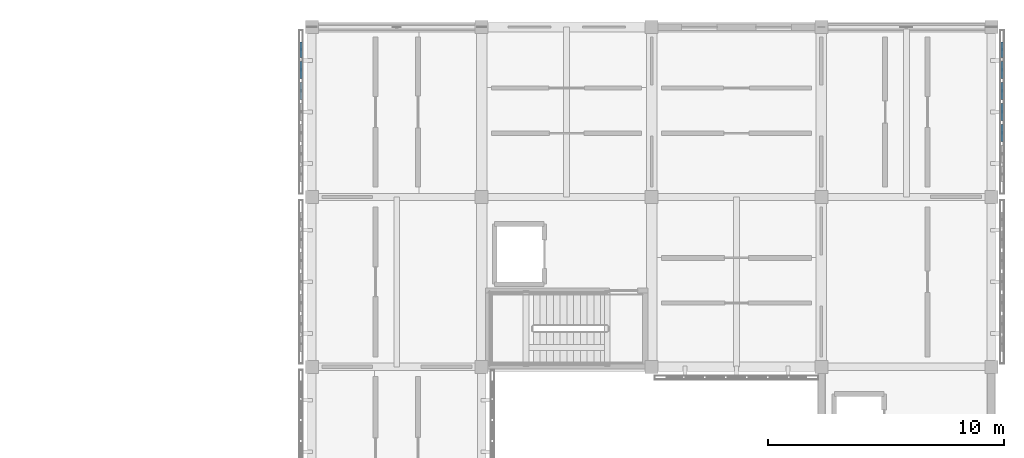
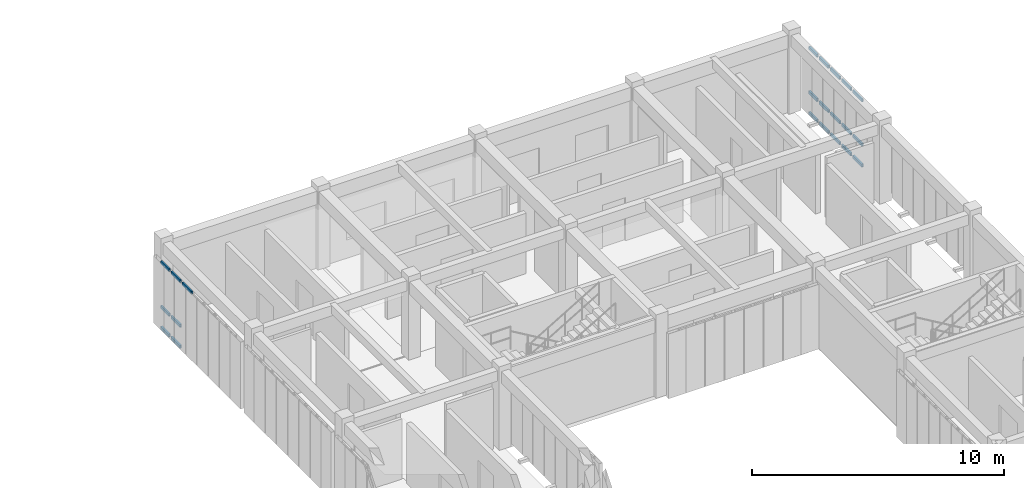
# One storey, part 34 of 67: 22 members, 2 elements without a shape of their own.
"""IFC4 building model written with IfcOpenShell, lengths in metres."""

from ifc_helpers import new_model, si_unit, direction, frame, origin, origin_2d, place, context, subcontext, project, spatial, hollow_rectangle, extrude, material, material_profile, profile_set, type_object, element, aggregate, save


model = new_model("IFC4")

# Units and contexts
model_context = context("Model", 3, precision=1e-05, world=origin(), true_north=direction((0.0, 1.0)))
body_context = subcontext(model_context, "Body", "Model", "MODEL_VIEW")
ifc_project = project(units=[si_unit("LENGTHUNIT", "METRE"), si_unit("AREAUNIT", "SQUARE_METRE"), si_unit("VOLUMEUNIT", "CUBIC_METRE"), si_unit("PLANEANGLEUNIT", "RADIAN"), si_unit("MASSUNIT", "GRAM", prefix="KILO")], contexts=[model_context])

# Site, building, storey
site_placement = place(None, origin())
site = spatial("IfcSite", under=ifc_project, at=site_placement, CompositionType="ELEMENT")
building_placement = place(site_placement, origin())
building = spatial("IfcBuilding", under=site, at=building_placement, Name="Aldebral Square Health Centre", CompositionType="ELEMENT")
storey_placement = place(building_placement, frame((0.0, 0.0, 13.5)))
storey = spatial("IfcBuildingStorey", under=building, at=storey_placement, Name="L03", CompositionType="ELEMENT", Elevation=13.5)

# Curtain wall, members
ifc_material_1 = material(Name="Aluminium and low-E solar glass", Category="aluminium")
curtain_wall_type = type_object("IfcCurtainWallType", Name="CW-FIN-SYS", PredefinedType="USERDEFINED", material=ifc_material_1)
curtain_wall_1_placement = place(storey_placement, origin())
curtain_wall_1 = element("IfcCurtainWall", 1, at=curtain_wall_1_placement, inside=storey, type_object=curtain_wall_type, Name="L03 V5 finned curtain wall L03-V5-19-15-W", ObjectType="SOLAR_CURTAIN_WALL", PredefinedType="USERDEFINED")
ifc_material_2 = material(Name="Anodised aluminium transom", Category="aluminium")
ifc_material_profile = material_profile(ifc_material_2, hollow_rectangle(XDim=0.074951171875, YDim=0.14990234375, WallThickness=0.00390625, at=origin_2d()), Name="CWT 75x150x4")
ifc_profile_set = profile_set([ifc_material_profile], Name="Anodised aluminium transom")
member_type = type_object("IfcMemberType", Name="CWT-STD", PredefinedType="USERDEFINED", material=ifc_profile_set)
member_1_placement = place(storey_placement, frame((136.340087890625, 114.56005859375, 0.03759765625), z_axis=(0.0, -1.0, 0.0), x_axis=(1.0, 0.0, 0.0)))
member_1 = element("IfcMember", 2, at=member_1_placement, type_object=member_type, Name="CW1 transom 1.1", ObjectType="TRANSOM", PredefinedType="USERDEFINED", context=body_context, shape_type="SweptSolid", body=[
    extrude(hollow_rectangle(XDim=0.074951171875, YDim=0.14990234375, WallThickness=0.00390625, at=origin_2d()), origin(), (0.0, 0.0, 1.0), 0.6513671875),
])
member_2_placement = place(storey_placement, frame((136.340087890625, 114.56005859375, 1.050048828125), z_axis=(0.0, -1.0, 0.0), x_axis=(1.0, 0.0, 0.0)))
member_2 = element("IfcMember", 3, at=member_2_placement, type_object=member_type, Name="CW1 transom 1.2", ObjectType="TRANSOM", PredefinedType="USERDEFINED", context=body_context, shape_type="SweptSolid", body=[
    extrude(hollow_rectangle(XDim=0.074951171875, YDim=0.14990234375, WallThickness=0.00390625, at=origin_2d()), origin(), (0.0, 0.0, 1.0), 0.6513671875),
])
member_3_placement = place(storey_placement, frame((136.340087890625, 114.56005859375, 3.202392578125), z_axis=(0.0, -1.0, 0.0), x_axis=(1.0, 0.0, 0.0)))
member_3 = element("IfcMember", 4, at=member_3_placement, type_object=member_type, Name="CW1 transom 1.3", ObjectType="TRANSOM", PredefinedType="USERDEFINED", context=body_context, shape_type="SweptSolid", body=[
    extrude(hollow_rectangle(XDim=0.074951171875, YDim=0.14990234375, WallThickness=0.00390625, at=origin_2d()), origin(), (0.0, 0.0, 1.0), 0.6513671875),
])
member_4_placement = place(storey_placement, frame((136.340087890625, 113.74853515625, 0.03759765625), z_axis=(0.0, -1.0, 0.0), x_axis=(1.0, 0.0, 0.0)))
member_4 = element("IfcMember", 5, at=member_4_placement, type_object=member_type, Name="CW1 transom 2.1", ObjectType="TRANSOM", PredefinedType="USERDEFINED", context=body_context, shape_type="SweptSolid", body=[
    extrude(hollow_rectangle(XDim=0.074951171875, YDim=0.14990234375, WallThickness=0.00390625, at=origin_2d()), origin(), (0.0, 0.0, 1.0), 0.7314453125),
])
member_5_placement = place(storey_placement, frame((136.340087890625, 113.74853515625, 1.050048828125), z_axis=(0.0, -1.0, 0.0), x_axis=(1.0, 0.0, 0.0)))
member_5 = element("IfcMember", 6, at=member_5_placement, type_object=member_type, Name="CW1 transom 2.2", ObjectType="TRANSOM", PredefinedType="USERDEFINED", context=body_context, shape_type="SweptSolid", body=[
    extrude(hollow_rectangle(XDim=0.074951171875, YDim=0.14990234375, WallThickness=0.00390625, at=origin_2d()), origin(), (0.0, 0.0, 1.0), 0.7314453125),
])
member_6_placement = place(storey_placement, frame((136.340087890625, 113.74853515625, 3.202392578125), z_axis=(0.0, -1.0, 0.0), x_axis=(1.0, 0.0, 0.0)))
member_6 = element("IfcMember", 7, at=member_6_placement, type_object=member_type, Name="CW1 transom 2.3", ObjectType="TRANSOM", PredefinedType="USERDEFINED", context=body_context, shape_type="SweptSolid", body=[
    extrude(hollow_rectangle(XDim=0.074951171875, YDim=0.14990234375, WallThickness=0.00390625, at=origin_2d()), origin(), (0.0, 0.0, 1.0), 0.7314453125),
])
member_7_placement = place(storey_placement, frame((136.340087890625, 112.857177734375, 3.202392578125), z_axis=(0.0, -1.0, 0.0), x_axis=(1.0, 0.0, 0.0)))
member_7 = element("IfcMember", 8, at=member_7_placement, type_object=member_type, Name="CW1 transom 3.3", ObjectType="TRANSOM", PredefinedType="USERDEFINED", context=body_context, shape_type="SweptSolid", body=[
    extrude(hollow_rectangle(XDim=0.074951171875, YDim=0.14990234375, WallThickness=0.00390625, at=origin_2d()), origin(), (0.0, 0.0, 1.0), 0.7314453125),
])
aggregate(curtain_wall_1, [member_1, member_2, member_3, member_4, member_5, member_6, member_7])

curtain_wall_2_placement = place(storey_placement, origin())
curtain_wall_2 = element("IfcCurtainWall", 9, at=curtain_wall_2_placement, inside=storey, type_object=curtain_wall_type, Name="L03 V5 finned curtain wall L03-V5-22-15-E", ObjectType="SOLAR_CURTAIN_WALL", PredefinedType="USERDEFINED")
member_8_placement = place(storey_placement, frame((166.06005859375, 110.3427734375, 0.03759765625), z_axis=(0.0, 1.0, 0.0), x_axis=(-1.0, 0.0, 0.0)))
member_8 = element("IfcMember", 10, at=member_8_placement, type_object=member_type, Name="CW1 transom 3.1", ObjectType="TRANSOM", PredefinedType="USERDEFINED", context=body_context, shape_type="SweptSolid", body=[
    extrude(hollow_rectangle(XDim=0.074951171875, YDim=0.14990234375, WallThickness=0.00390625, at=origin_2d()), origin(), (0.0, 0.0, 1.0), 0.7314453125),
])
member_9_placement = place(storey_placement, frame((166.06005859375, 110.3427734375, 1.050048828125), z_axis=(0.0, 1.0, 0.0), x_axis=(-1.0, 0.0, 0.0)))
member_9 = element("IfcMember", 11, at=member_9_placement, type_object=member_type, Name="CW1 transom 3.2", ObjectType="TRANSOM", PredefinedType="USERDEFINED", context=body_context, shape_type="SweptSolid", body=[
    extrude(hollow_rectangle(XDim=0.074951171875, YDim=0.14990234375, WallThickness=0.00390625, at=origin_2d()), origin(), (0.0, 0.0, 1.0), 0.7314453125),
])
member_10_placement = place(storey_placement, frame((166.06005859375, 110.3427734375, 3.202392578125), z_axis=(0.0, 1.0, 0.0), x_axis=(-1.0, 0.0, 0.0)))
member_10 = element("IfcMember", 12, at=member_10_placement, type_object=member_type, Name="CW1 transom 3.3", ObjectType="TRANSOM", PredefinedType="USERDEFINED", context=body_context, shape_type="SweptSolid", body=[
    extrude(hollow_rectangle(XDim=0.074951171875, YDim=0.14990234375, WallThickness=0.00390625, at=origin_2d()), origin(), (0.0, 0.0, 1.0), 0.7314453125),
])
member_11_placement = place(storey_placement, frame((166.06005859375, 111.234375, 0.03759765625), z_axis=(0.0, 1.0, 0.0), x_axis=(-1.0, 0.0, 0.0)))
member_11 = element("IfcMember", 13, at=member_11_placement, type_object=member_type, Name="CW1 transom 4.1", ObjectType="TRANSOM", PredefinedType="USERDEFINED", context=body_context, shape_type="SweptSolid", body=[
    extrude(hollow_rectangle(XDim=0.074951171875, YDim=0.14990234375, WallThickness=0.00390625, at=origin_2d()), origin(), (0.0, 0.0, 1.0), 0.7314453125),
])
member_12_placement = place(storey_placement, frame((166.06005859375, 111.234375, 1.050048828125), z_axis=(0.0, 1.0, 0.0), x_axis=(-1.0, 0.0, 0.0)))
member_12 = element("IfcMember", 14, at=member_12_placement, type_object=member_type, Name="CW1 transom 4.2", ObjectType="TRANSOM", PredefinedType="USERDEFINED", context=body_context, shape_type="SweptSolid", body=[
    extrude(hollow_rectangle(XDim=0.074951171875, YDim=0.14990234375, WallThickness=0.00390625, at=origin_2d()), origin(), (0.0, 0.0, 1.0), 0.7314453125),
])
member_13_placement = place(storey_placement, frame((166.06005859375, 111.234375, 3.202392578125), z_axis=(0.0, 1.0, 0.0), x_axis=(-1.0, 0.0, 0.0)))
member_13 = element("IfcMember", 15, at=member_13_placement, type_object=member_type, Name="CW1 transom 4.3", ObjectType="TRANSOM", PredefinedType="USERDEFINED", context=body_context, shape_type="SweptSolid", body=[
    extrude(hollow_rectangle(XDim=0.074951171875, YDim=0.14990234375, WallThickness=0.00390625, at=origin_2d()), origin(), (0.0, 0.0, 1.0), 0.7314453125),
])
member_14_placement = place(storey_placement, frame((166.06005859375, 112.125732421875, 0.03759765625), z_axis=(0.0, 1.0, 0.0), x_axis=(-1.0, 0.0, 0.0)))
member_14 = element("IfcMember", 16, at=member_14_placement, type_object=member_type, Name="CW1 transom 5.1", ObjectType="TRANSOM", PredefinedType="USERDEFINED", context=body_context, shape_type="SweptSolid", body=[
    extrude(hollow_rectangle(XDim=0.074951171875, YDim=0.14990234375, WallThickness=0.00390625, at=origin_2d()), origin(), (0.0, 0.0, 1.0), 0.7314453125),
])
member_15_placement = place(storey_placement, frame((166.06005859375, 112.125732421875, 1.050048828125), z_axis=(0.0, 1.0, 0.0), x_axis=(-1.0, 0.0, 0.0)))
member_15 = element("IfcMember", 17, at=member_15_placement, type_object=member_type, Name="CW1 transom 5.2", ObjectType="TRANSOM", PredefinedType="USERDEFINED", context=body_context, shape_type="SweptSolid", body=[
    extrude(hollow_rectangle(XDim=0.074951171875, YDim=0.14990234375, WallThickness=0.00390625, at=origin_2d()), origin(), (0.0, 0.0, 1.0), 0.7314453125),
])
member_16_placement = place(storey_placement, frame((166.06005859375, 112.125732421875, 3.202392578125), z_axis=(0.0, 1.0, 0.0), x_axis=(-1.0, 0.0, 0.0)))
member_16 = element("IfcMember", 18, at=member_16_placement, type_object=member_type, Name="CW1 transom 5.3", ObjectType="TRANSOM", PredefinedType="USERDEFINED", context=body_context, shape_type="SweptSolid", body=[
    extrude(hollow_rectangle(XDim=0.074951171875, YDim=0.14990234375, WallThickness=0.00390625, at=origin_2d()), origin(), (0.0, 0.0, 1.0), 0.7314453125),
])
member_17_placement = place(storey_placement, frame((166.06005859375, 113.01708984375, 0.03759765625), z_axis=(0.0, 1.0, 0.0), x_axis=(-1.0, 0.0, 0.0)))
member_17 = element("IfcMember", 19, at=member_17_placement, type_object=member_type, Name="CW1 transom 6.1", ObjectType="TRANSOM", PredefinedType="USERDEFINED", context=body_context, shape_type="SweptSolid", body=[
    extrude(hollow_rectangle(XDim=0.074951171875, YDim=0.14990234375, WallThickness=0.00390625, at=origin_2d()), origin(), (0.0, 0.0, 1.0), 0.7314453125),
])
member_18_placement = place(storey_placement, frame((166.06005859375, 113.01708984375, 1.050048828125), z_axis=(0.0, 1.0, 0.0), x_axis=(-1.0, 0.0, 0.0)))
member_18 = element("IfcMember", 20, at=member_18_placement, type_object=member_type, Name="CW1 transom 6.2", ObjectType="TRANSOM", PredefinedType="USERDEFINED", context=body_context, shape_type="SweptSolid", body=[
    extrude(hollow_rectangle(XDim=0.074951171875, YDim=0.14990234375, WallThickness=0.00390625, at=origin_2d()), origin(), (0.0, 0.0, 1.0), 0.7314453125),
])
member_19_placement = place(storey_placement, frame((166.06005859375, 113.01708984375, 3.202392578125), z_axis=(0.0, 1.0, 0.0), x_axis=(-1.0, 0.0, 0.0)))
member_19 = element("IfcMember", 21, at=member_19_placement, type_object=member_type, Name="CW1 transom 6.3", ObjectType="TRANSOM", PredefinedType="USERDEFINED", context=body_context, shape_type="SweptSolid", body=[
    extrude(hollow_rectangle(XDim=0.074951171875, YDim=0.14990234375, WallThickness=0.00390625, at=origin_2d()), origin(), (0.0, 0.0, 1.0), 0.7314453125),
])
member_20_placement = place(storey_placement, frame((166.06005859375, 113.90869140625, 0.03759765625), z_axis=(0.0, 1.0, 0.0), x_axis=(-1.0, 0.0, 0.0)))
member_20 = element("IfcMember", 22, at=member_20_placement, type_object=member_type, Name="CW1 transom 7.1", ObjectType="TRANSOM", PredefinedType="USERDEFINED", context=body_context, shape_type="SweptSolid", body=[
    extrude(hollow_rectangle(XDim=0.074951171875, YDim=0.14990234375, WallThickness=0.00390625, at=origin_2d()), origin(), (0.0, 0.0, 1.0), 0.6513671875),
])
member_21_placement = place(storey_placement, frame((166.06005859375, 113.90869140625, 1.050048828125), z_axis=(0.0, 1.0, 0.0), x_axis=(-1.0, 0.0, 0.0)))
member_21 = element("IfcMember", 23, at=member_21_placement, type_object=member_type, Name="CW1 transom 7.2", ObjectType="TRANSOM", PredefinedType="USERDEFINED", context=body_context, shape_type="SweptSolid", body=[
    extrude(hollow_rectangle(XDim=0.074951171875, YDim=0.14990234375, WallThickness=0.00390625, at=origin_2d()), origin(), (0.0, 0.0, 1.0), 0.6513671875),
])
member_22_placement = place(storey_placement, frame((166.06005859375, 113.90869140625, 3.202392578125), z_axis=(0.0, 1.0, 0.0), x_axis=(-1.0, 0.0, 0.0)))
member_22 = element("IfcMember", 24, at=member_22_placement, type_object=member_type, Name="CW1 transom 7.3", ObjectType="TRANSOM", PredefinedType="USERDEFINED", context=body_context, shape_type="SweptSolid", body=[
    extrude(hollow_rectangle(XDim=0.074951171875, YDim=0.14990234375, WallThickness=0.00390625, at=origin_2d()), origin(), (0.0, 0.0, 1.0), 0.6513671875),
])
aggregate(curtain_wall_2, [member_8, member_9, member_10, member_11, member_12, member_13, member_14, member_15, member_16, member_17, member_18, member_19, member_20, member_21, member_22])

save(model, "model.ifc")
